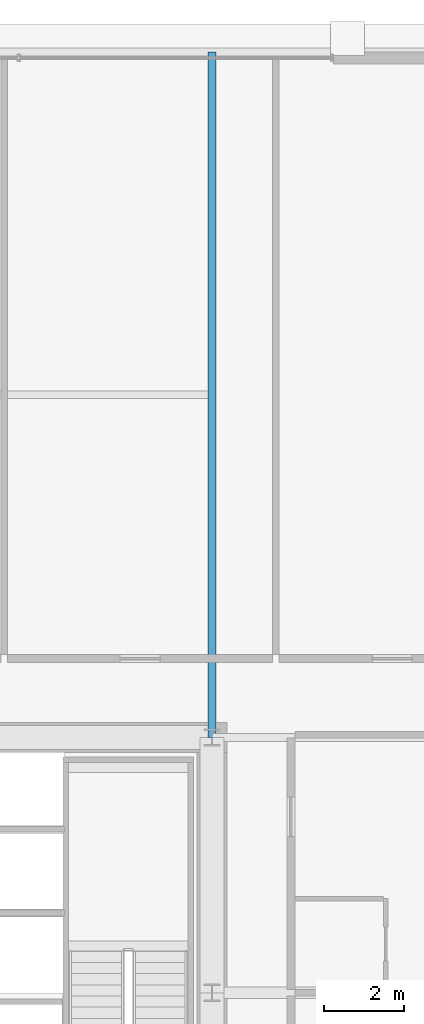
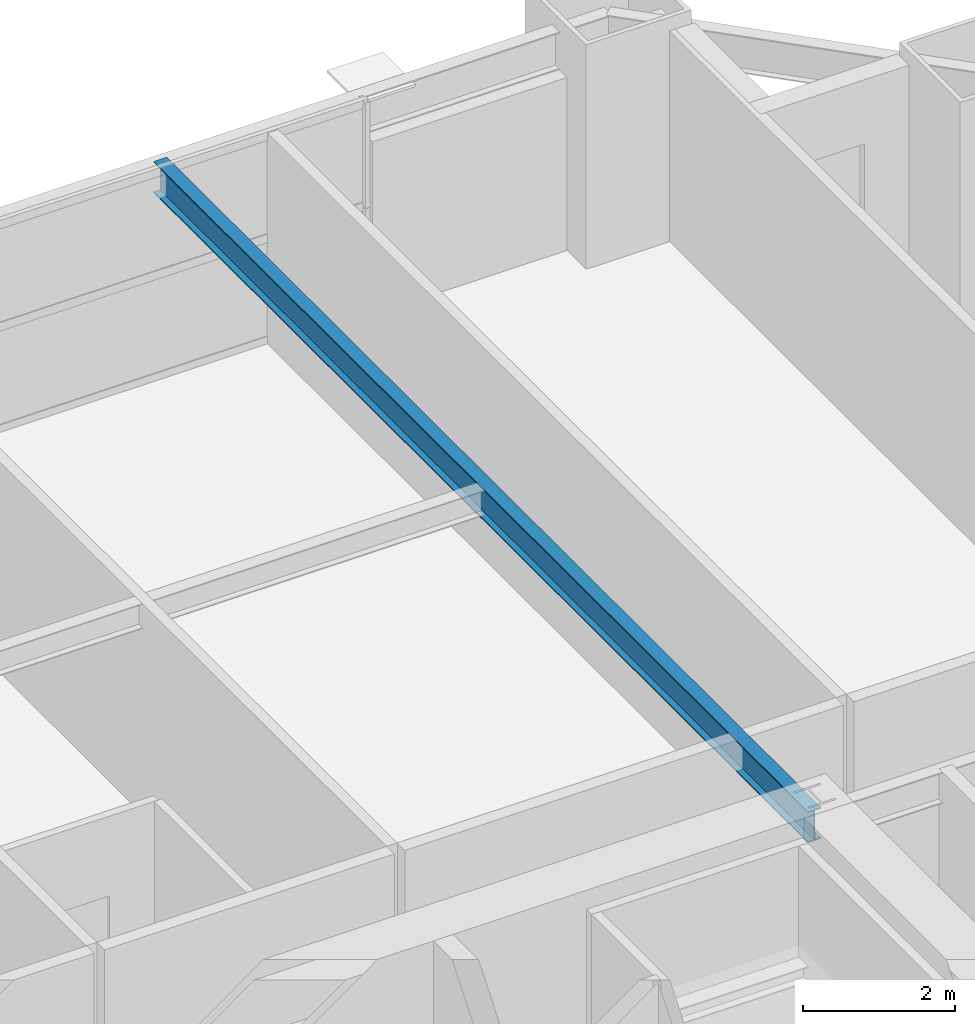
# One storey, part 27 of 38: 1 beam.
"""IFC4 building model written with IfcOpenShell, lengths in metres."""

from ifc_helpers import new_model, si_unit, direction, frame, origin, origin_2d, place, context, subcontext, project, spatial, i_section, extrude, source, transform, mapped, material, material_profile, profile_set, type_object, element, save


model = new_model("IFC4")

# Units and contexts
model_context = context("Model", 3, precision=1e-05, world=origin(), true_north=direction((0.0, 1.0)))
body_context = subcontext(model_context, "Body", "Model", "MODEL_VIEW")
ifc_project = project(units=[si_unit("LENGTHUNIT", "METRE"), si_unit("AREAUNIT", "SQUARE_METRE"), si_unit("VOLUMEUNIT", "CUBIC_METRE"), si_unit("PLANEANGLEUNIT", "RADIAN"), si_unit("MASSUNIT", "GRAM", prefix="KILO"), si_unit("THERMODYNAMICTEMPERATUREUNIT", "KELVIN"), si_unit("POWERUNIT", "WATT")], contexts=[model_context])

# Site, building, storey
site_placement = place(None, origin())
site = spatial("IfcSite", under=ifc_project, at=site_placement, CompositionType="ELEMENT")
building_placement = place(site_placement, origin())
building = spatial("IfcBuilding", under=site, at=building_placement, Name="Yuzanri Waterfront Tower", CompositionType="ELEMENT")
storey_placement = place(building_placement, frame((0.0, 0.0, 97.39990234375)))
storey = spatial("IfcBuildingStorey", under=building, at=storey_placement, Name="L25", CompositionType="ELEMENT", Elevation=97.39990234375)

# Beam
ifc_material = material(Name="Steel Q355B", Category="steel")
ifc_material_profile = material_profile(ifc_material, i_section(OverallWidth=0.199951171875, OverallDepth=0.5, WebThickness=0.010009765625, FlangeThickness=0.01611328125, at=origin_2d()), Name="HN 500x200x10x16")
ifc_profile_set = profile_set([ifc_material_profile], Name="Steel Q355B")
beam_type = type_object("IfcBeamType", Name="Secondary Floor Beam Q355B HN 500x200", PredefinedType="BEAM", material=ifc_profile_set)
shared_shape = source(origin(), body_context, "Body", "SweptSolid", [
    extrude(i_section(OverallWidth=0.199951171875, OverallDepth=0.5, WebThickness=0.010009765625, FlangeThickness=0.01611328125, at=origin_2d()), origin(), (0.0, 0.0, 1.0), 17.199951171875),
])
beam_placement = place(storey_placement, frame((50.199951171875, 32.199951171875, 3.130126953125), z_axis=(0.0, 1.0, 0.0), x_axis=(-1.0, 0.0, 0.0)))
element("IfcBeam", 1, at=beam_placement, inside=storey, type_object=beam_type, Name="L25 North-East Core Line Beam", PredefinedType="BEAM", context=body_context, shape_type="MappedRepresentation", body=[
    mapped(shared_shape, transform((0.0, 0.0, 0.0), scale=1.0)),
])

save(model, "model.ifc")
